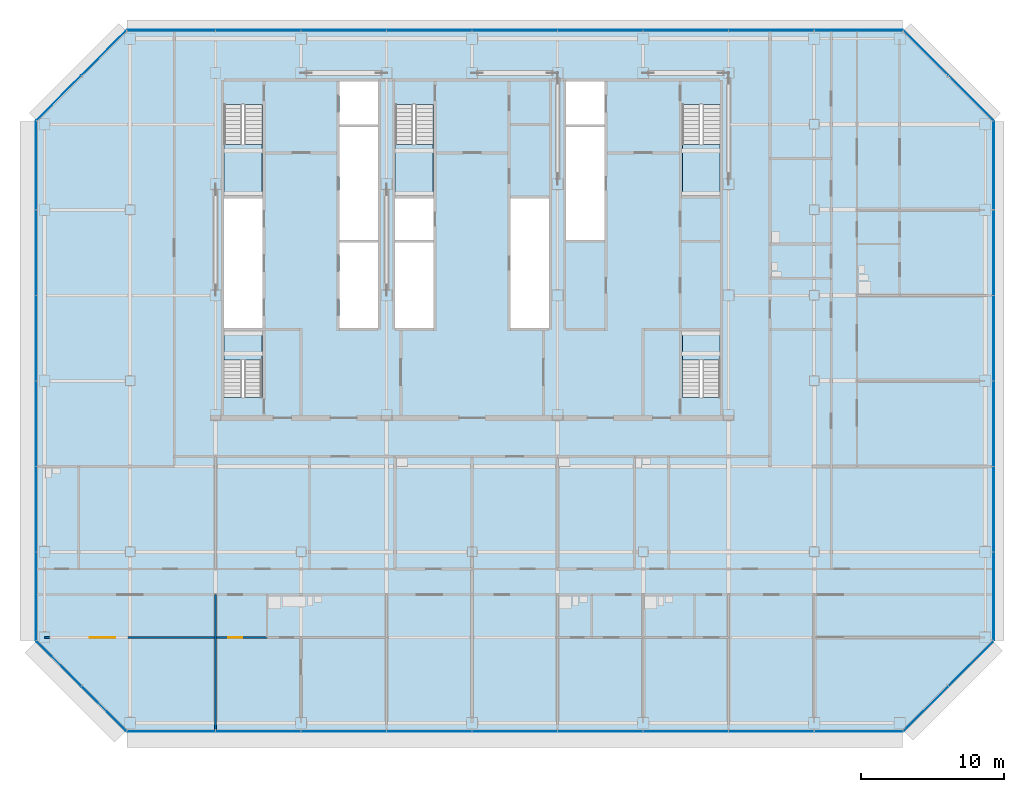
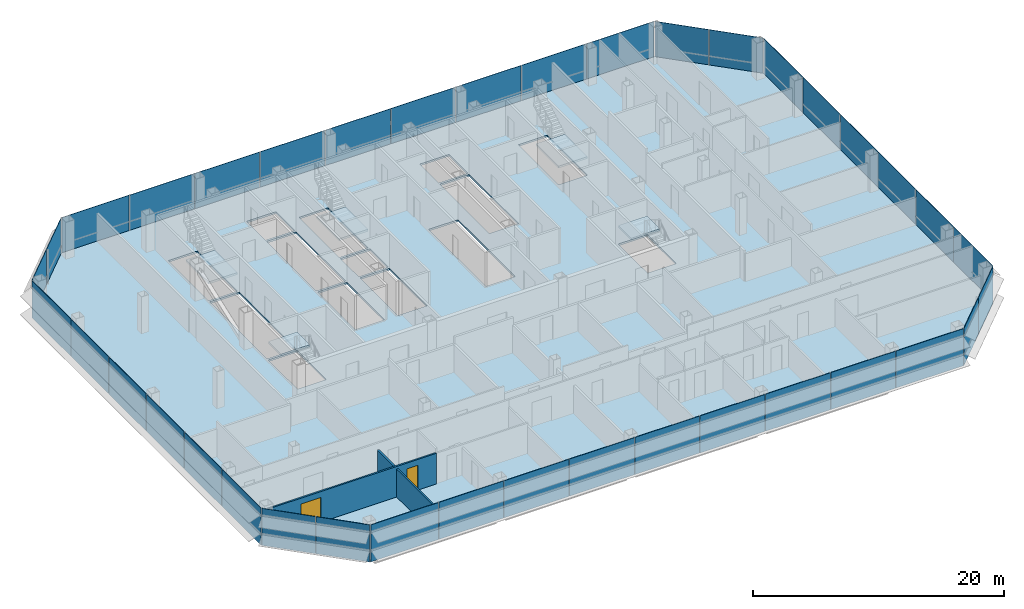
# One storey, part 18 of 25: 38 plates, 6 slabs, 2 doors, 2 walls, 2 openings, 13 elements without a shape of their own.
"""IFC4 building model written with IfcOpenShell, lengths in metres."""

from ifc_helpers import new_model, si_unit, direction, frame, frame_2d, origin, origin_2d, place, context, subcontext, project, spatial, polyline, rectangle, outline, extrude, material, layer, layer_set, type_object, element, fill, aggregate, save


model = new_model("IFC4")

# Units and contexts
model_context = context("Model", 3, precision=1e-05, world=origin(), true_north=direction((0.0, 1.0)))
body_context = subcontext(model_context, "Body", "Model", "MODEL_VIEW")
ifc_project = project(units=[si_unit("LENGTHUNIT", "METRE"), si_unit("AREAUNIT", "SQUARE_METRE"), si_unit("VOLUMEUNIT", "CUBIC_METRE"), si_unit("PLANEANGLEUNIT", "RADIAN"), si_unit("MASSUNIT", "GRAM", prefix="KILO")], contexts=[model_context])

# Site, building, storey
site_placement = place(None, origin())
site = spatial("IfcSite", under=ifc_project, at=site_placement, CompositionType="ELEMENT")
building_placement = place(site_placement, origin())
building = spatial("IfcBuilding", under=site, at=building_placement, Name="Sorahane Residences", CompositionType="ELEMENT")
storey_placement = place(building_placement, frame((0.0, 0.0, 126.800048828125)))
storey = spatial("IfcBuildingStorey", under=building, at=storey_placement, Name="L28", CompositionType="ELEMENT", Elevation=126.800048828125)

# Slab
ifc_material_1 = material(Name="Concrete C35", Category="concrete")
ifc_layer_1 = layer(ifc_material_1, 0.179931640625)
ifc_layer_set_1 = layer_set([ifc_layer_1], Name="Composite floor slab 180 mm Concrete C35")
slab_type_1 = type_object("IfcSlabType", Name="Composite floor slab 180 mm Concrete C35", PredefinedType="FLOOR", material=ifc_layer_set_1)
slab_1_placement = place(storey_placement, frame((0.0, 0.0, -0.179931640625)))
element("IfcSlab", 1, at=slab_1_placement, inside=storey, type_object=slab_type_1, Name="Slab L28", PredefinedType="FLOOR", context=body_context, shape_type="SweptSolid", body=[
    extrude(outline(polyline([(-0.24853515625, -0.60009765625), (-6.60009765625, 5.75146484375), (-6.60009765625, 42.24853515625), (-0.24853515625, 48.60009765625), (54.24853515625, 48.60009765625), (60.60009765625, 42.24853515625), (60.60009765625, 5.75146484375), (54.24853515625, -0.60009765625), (-0.24853515625, -0.60009765625)]), holes=[polyline([(18.60009765625, 27.699951171875), (21.300048828125, 27.699951171875), (21.300048828125, 33.699951171875), (18.60009765625, 33.699951171875), (18.60009765625, 27.699951171875)]), polyline([(30.60009765625, 42.0), (33.300048828125, 42.0), (33.300048828125, 45.0), (30.60009765625, 45.0), (30.60009765625, 42.0)]), polyline([(14.699951171875, 27.699951171875), (17.39990234375, 27.699951171875), (17.39990234375, 33.699951171875), (14.699951171875, 33.699951171875), (14.699951171875, 27.699951171875)]), polyline([(14.699951171875, 42.0), (17.39990234375, 42.0), (17.39990234375, 45.0), (14.699951171875, 45.0), (14.699951171875, 42.0)]), polyline([(6.60009765625, 27.699951171875), (9.300048828125, 27.699951171875), (9.300048828125, 36.800048828125), (6.60009765625, 36.800048828125), (6.60009765625, 27.699951171875)]), polyline([(6.60009765625, 43.39990234375), (6.60009765625, 37.0), (9.25, 37.0), (9.25, 43.39990234375), (6.60009765625, 43.39990234375)]), polyline([(38.75, 43.39990234375), (38.75, 37.0), (41.39990234375, 37.0), (41.39990234375, 43.39990234375), (38.75, 43.39990234375)]), polyline([(18.60009765625, 43.39990234375), (18.60009765625, 37.0), (21.25, 37.0), (21.25, 43.39990234375), (18.60009765625, 43.39990234375)]), polyline([(9.25, 22.85009765625), (9.25, 27.5), (6.60009765625, 27.5), (6.60009765625, 22.85009765625), (9.25, 22.85009765625)]), polyline([(41.39990234375, 22.85009765625), (41.39990234375, 27.5), (38.75, 27.5), (38.75, 22.85009765625), (41.39990234375, 22.85009765625)]), polyline([(14.699951171875, 33.89990234375), (17.39990234375, 33.89990234375), (17.39990234375, 41.800048828125), (14.699951171875, 41.800048828125), (14.699951171875, 33.89990234375)]), polyline([(30.60009765625, 33.89990234375), (33.300048828125, 33.89990234375), (33.300048828125, 41.800048828125), (30.60009765625, 41.800048828125), (30.60009765625, 33.89990234375)]), polyline([(18.60009765625, 33.89990234375), (21.300048828125, 33.89990234375), (21.300048828125, 36.800048828125), (18.60009765625, 36.800048828125), (18.60009765625, 33.89990234375)]), polyline([(26.699951171875, 27.699951171875), (29.39990234375, 27.699951171875), (29.39990234375, 36.800048828125), (26.699951171875, 36.800048828125), (26.699951171875, 27.699951171875)])]), origin(), (0.0, 0.0, 1.0), 0.179931640625),
])

# Curtain wall, plates
ifc_material_2 = material(Name="Dark low-e glass and black anodised aluminium", Category="aluminium")
curtain_wall_type_1 = type_object("IfcCurtainWallType", Name="Curtain wall CW-1 Typical unitised wall", PredefinedType="NOTDEFINED", material=ifc_material_2)
curtain_wall_1_placement = place(storey_placement, origin())
curtain_wall_1 = element("IfcCurtainWall", 2, at=curtain_wall_1_placement, inside=storey, type_object=curtain_wall_type_1, Name="CW-1 curtain wall L28 S1", PredefinedType="NOTDEFINED")
ifc_material_3 = material(Name="Dark low-e glass with black ceramic frit", Category="glass")
ifc_layer_2 = layer(ifc_material_3, 0.0400390625)
ifc_layer_set_2 = layer_set([ifc_layer_2], Name="Curtain wall glass panel dark low-e with black frit spandrel band")
plate_type = type_object("IfcPlateType", Name="Curtain wall glass panel dark low-e with black frit spandrel band", PredefinedType="CURTAIN_PANEL", material=ifc_layer_set_2)
plate_1_placement = place(storey_placement, frame((2.88818359375, -0.60009765625, -0.18017578125), z_axis=(0.0, 0.0, 1.0), x_axis=(1.0, 0.0, 0.0)))
plate_1 = element("IfcPlate", 3, at=plate_1_placement, type_object=plate_type, Name="CW-1 glass panel L28 S1.1", PredefinedType="CURTAIN_PANEL", context=body_context, shape_type="SweptSolid", body=[
    extrude(rectangle(XDim=6.173583984375, YDim=0.0400390625, at=origin_2d()), origin(), (0.0, 0.0, 1.0), 3.60009765625),
])
plate_2_placement = place(storey_placement, frame((9.0, -0.60009765625, -0.18017578125), z_axis=(0.0, 0.0, 1.0), x_axis=(1.0, 0.0, 0.0)))
plate_2 = element("IfcPlate", 4, at=plate_2_placement, type_object=plate_type, Name="CW-1 glass panel L28 S1.2", PredefinedType="CURTAIN_PANEL", context=body_context, shape_type="SweptSolid", body=[
    extrude(rectangle(XDim=5.949951171875, YDim=0.0400390625, at=origin_2d()), origin(), (0.0, 0.0, 1.0), 3.60009765625),
])
plate_3_placement = place(storey_placement, frame((15.0, -0.60009765625, -0.18017578125), z_axis=(0.0, 0.0, 1.0), x_axis=(1.0, 0.0, 0.0)))
plate_3 = element("IfcPlate", 5, at=plate_3_placement, type_object=plate_type, Name="CW-1 glass panel L28 S1.3", PredefinedType="CURTAIN_PANEL", context=body_context, shape_type="SweptSolid", body=[
    extrude(rectangle(XDim=5.949951171875, YDim=0.0400390625, at=origin_2d()), origin(), (0.0, 0.0, 1.0), 3.60009765625),
])
plate_4_placement = place(storey_placement, frame((21.0, -0.60009765625, -0.18017578125), z_axis=(0.0, 0.0, 1.0), x_axis=(1.0, 0.0, 0.0)))
plate_4 = element("IfcPlate", 6, at=plate_4_placement, type_object=plate_type, Name="CW-1 glass panel L28 S1.4", PredefinedType="CURTAIN_PANEL", context=body_context, shape_type="SweptSolid", body=[
    extrude(rectangle(XDim=5.949951171875, YDim=0.0400390625, at=origin_2d()), origin(), (0.0, 0.0, 1.0), 3.60009765625),
])
plate_5_placement = place(storey_placement, frame((27.0, -0.60009765625, -0.18017578125), z_axis=(0.0, 0.0, 1.0), x_axis=(1.0, 0.0, 0.0)))
plate_5 = element("IfcPlate", 7, at=plate_5_placement, type_object=plate_type, Name="CW-1 glass panel L28 S1.5", PredefinedType="CURTAIN_PANEL", context=body_context, shape_type="SweptSolid", body=[
    extrude(rectangle(XDim=5.949951171875, YDim=0.0400390625, at=origin_2d()), origin(), (0.0, 0.0, 1.0), 3.60009765625),
])
plate_6_placement = place(storey_placement, frame((33.0, -0.60009765625, -0.18017578125), z_axis=(0.0, 0.0, 1.0), x_axis=(1.0, 0.0, 0.0)))
plate_6 = element("IfcPlate", 8, at=plate_6_placement, type_object=plate_type, Name="CW-1 glass panel L28 S1.6", PredefinedType="CURTAIN_PANEL", context=body_context, shape_type="SweptSolid", body=[
    extrude(rectangle(XDim=5.949951171875, YDim=0.0400390625, at=origin_2d()), origin(), (0.0, 0.0, 1.0), 3.60009765625),
])
plate_7_placement = place(storey_placement, frame((39.0, -0.60009765625, -0.18017578125), z_axis=(0.0, 0.0, 1.0), x_axis=(1.0, 0.0, 0.0)))
plate_7 = element("IfcPlate", 9, at=plate_7_placement, type_object=plate_type, Name="CW-1 glass panel L28 S1.7", PredefinedType="CURTAIN_PANEL", context=body_context, shape_type="SweptSolid", body=[
    extrude(rectangle(XDim=5.949951171875, YDim=0.0400390625, at=origin_2d()), origin(), (0.0, 0.0, 1.0), 3.60009765625),
])
plate_8_placement = place(storey_placement, frame((45.0, -0.60009765625, -0.18017578125), z_axis=(0.0, 0.0, 1.0), x_axis=(1.0, 0.0, 0.0)))
plate_8 = element("IfcPlate", 10, at=plate_8_placement, type_object=plate_type, Name="CW-1 glass panel L28 S1.8", PredefinedType="CURTAIN_PANEL", context=body_context, shape_type="SweptSolid", body=[
    extrude(rectangle(XDim=5.949951171875, YDim=0.0400390625, at=origin_2d()), origin(), (0.0, 0.0, 1.0), 3.60009765625),
])
plate_9_placement = place(storey_placement, frame((51.11181640625, -0.60009765625, -0.18017578125), z_axis=(0.0, 0.0, 1.0), x_axis=(1.0, 0.0, 0.0)))
plate_9 = element("IfcPlate", 11, at=plate_9_placement, type_object=plate_type, Name="CW-1 glass panel L28 S1.9", PredefinedType="CURTAIN_PANEL", context=body_context, shape_type="SweptSolid", body=[
    extrude(rectangle(XDim=6.173583984375, YDim=0.0400390625, at=origin_2d()), origin(), (0.0, 0.0, 1.0), 3.60009765625),
])
aggregate(curtain_wall_1, [plate_1, plate_2, plate_3, plate_4, plate_5, plate_6, plate_7, plate_8, plate_9])

ifc_material_4 = material(Name="Dark low-e glass and black anodised aluminium", Category="aluminium")
curtain_wall_type_2 = type_object("IfcCurtainWallType", Name="Curtain wall CW-2 Chamfer unitised wall", PredefinedType="NOTDEFINED", material=ifc_material_4)
curtain_wall_2_placement = place(storey_placement, origin())
curtain_wall_2 = element("IfcCurtainWall", 12, at=curtain_wall_2_placement, inside=storey, type_object=curtain_wall_type_2, Name="CW-2 curtain wall L28 SE1", PredefinedType="NOTDEFINED")
plate_10_placement = place(storey_placement, frame((55.84521484375, 0.996826171875, -0.18017578125), z_axis=(0.0, 0.0, 1.0), x_axis=(0.707106781187, 0.707106781187, 0.0)))
plate_10 = element("IfcPlate", 13, at=plate_10_placement, type_object=plate_type, Name="CW-2 glass panel L28 SE1.1", PredefinedType="CURTAIN_PANEL", context=body_context, shape_type="SweptSolid", body=[
    extrude(rectangle(XDim=4.416259765625, YDim=0.0400390625, at=origin_2d()), origin(), (0.0, 0.0, 1.0), 3.60009765625),
])
plate_11_placement = place(storey_placement, frame((59.003173828125, 4.15478515625, -0.18017578125), z_axis=(0.0, 0.0, 1.0), x_axis=(0.707106781187, 0.707106781187, 0.0)))
plate_11 = element("IfcPlate", 14, at=plate_11_placement, type_object=plate_type, Name="CW-2 glass panel L28 SE1.2", PredefinedType="CURTAIN_PANEL", context=body_context, shape_type="SweptSolid", body=[
    extrude(rectangle(XDim=4.416259765625, YDim=0.0400390625, at=origin_2d()), origin(), (0.0, 0.0, 1.0), 3.60009765625),
])
aggregate(curtain_wall_2, [plate_10, plate_11])

curtain_wall_3_placement = place(storey_placement, origin())
curtain_wall_3 = element("IfcCurtainWall", 15, at=curtain_wall_3_placement, inside=storey, type_object=curtain_wall_type_1, Name="CW-1 curtain wall L28 E1", PredefinedType="NOTDEFINED")
plate_12_placement = place(storey_placement, frame((60.60009765625, 8.88818359375, -0.18017578125), z_axis=(0.0, 0.0, 1.0), x_axis=(0.0, 1.0, 0.0)))
plate_12 = element("IfcPlate", 16, at=plate_12_placement, type_object=plate_type, Name="CW-1 glass panel L28 E1.1", PredefinedType="CURTAIN_PANEL", context=body_context, shape_type="SweptSolid", body=[
    extrude(rectangle(XDim=6.173583984375, YDim=0.0400390625, at=origin_2d()), origin(), (0.0, 0.0, 1.0), 3.60009765625),
])
plate_13_placement = place(storey_placement, frame((60.60009765625, 15.0, -0.18017578125), z_axis=(0.0, 0.0, 1.0), x_axis=(0.0, 1.0, 0.0)))
plate_13 = element("IfcPlate", 17, at=plate_13_placement, type_object=plate_type, Name="CW-1 glass panel L28 E1.2", PredefinedType="CURTAIN_PANEL", context=body_context, shape_type="SweptSolid", body=[
    extrude(rectangle(XDim=5.949951171875, YDim=0.0400390625, at=origin_2d()), origin(), (0.0, 0.0, 1.0), 3.60009765625),
])
plate_14_placement = place(storey_placement, frame((60.60009765625, 21.0, -0.18017578125), z_axis=(0.0, 0.0, 1.0), x_axis=(0.0, 1.0, 0.0)))
plate_14 = element("IfcPlate", 18, at=plate_14_placement, type_object=plate_type, Name="CW-1 glass panel L28 E1.3", PredefinedType="CURTAIN_PANEL", context=body_context, shape_type="SweptSolid", body=[
    extrude(rectangle(XDim=5.949951171875, YDim=0.0400390625, at=origin_2d()), origin(), (0.0, 0.0, 1.0), 3.60009765625),
])
plate_15_placement = place(storey_placement, frame((60.60009765625, 27.0, -0.18017578125), z_axis=(0.0, 0.0, 1.0), x_axis=(0.0, 1.0, 0.0)))
plate_15 = element("IfcPlate", 19, at=plate_15_placement, type_object=plate_type, Name="CW-1 glass panel L28 E1.4", PredefinedType="CURTAIN_PANEL", context=body_context, shape_type="SweptSolid", body=[
    extrude(rectangle(XDim=5.949951171875, YDim=0.0400390625, at=origin_2d()), origin(), (0.0, 0.0, 1.0), 3.60009765625),
])
plate_16_placement = place(storey_placement, frame((60.60009765625, 33.0, -0.18017578125), z_axis=(0.0, 0.0, 1.0), x_axis=(0.0, 1.0, 0.0)))
plate_16 = element("IfcPlate", 20, at=plate_16_placement, type_object=plate_type, Name="CW-1 glass panel L28 E1.5", PredefinedType="CURTAIN_PANEL", context=body_context, shape_type="SweptSolid", body=[
    extrude(rectangle(XDim=5.949951171875, YDim=0.0400390625, at=origin_2d()), origin(), (0.0, 0.0, 1.0), 3.60009765625),
])
plate_17_placement = place(storey_placement, frame((60.60009765625, 39.11181640625, -0.18017578125), z_axis=(0.0, 0.0, 1.0), x_axis=(0.0, 1.0, 0.0)))
plate_17 = element("IfcPlate", 21, at=plate_17_placement, type_object=plate_type, Name="CW-1 glass panel L28 E1.6", PredefinedType="CURTAIN_PANEL", context=body_context, shape_type="SweptSolid", body=[
    extrude(rectangle(XDim=6.173583984375, YDim=0.0400390625, at=origin_2d()), origin(), (0.0, 0.0, 1.0), 3.60009765625),
])
aggregate(curtain_wall_3, [plate_12, plate_13, plate_14, plate_15, plate_16, plate_17])

curtain_wall_4_placement = place(storey_placement, origin())
curtain_wall_4 = element("IfcCurtainWall", 22, at=curtain_wall_4_placement, inside=storey, type_object=curtain_wall_type_2, Name="CW-2 curtain wall L28 NE1", PredefinedType="NOTDEFINED")
plate_18_placement = place(storey_placement, frame((59.003173828125, 43.84521484375, -0.18017578125), z_axis=(0.0, 0.0, 1.0), x_axis=(-0.707106781187, 0.707106781187, 0.0)))
plate_18 = element("IfcPlate", 23, at=plate_18_placement, type_object=plate_type, Name="CW-2 glass panel L28 NE1.1", PredefinedType="CURTAIN_PANEL", context=body_context, shape_type="SweptSolid", body=[
    extrude(rectangle(XDim=4.416259765625, YDim=0.0400390625, at=origin_2d()), origin(), (0.0, 0.0, 1.0), 3.60009765625),
])
plate_19_placement = place(storey_placement, frame((55.84521484375, 47.003173828125, -0.18017578125), z_axis=(0.0, 0.0, 1.0), x_axis=(-0.707106781187, 0.707106781187, 0.0)))
plate_19 = element("IfcPlate", 24, at=plate_19_placement, type_object=plate_type, Name="CW-2 glass panel L28 NE1.2", PredefinedType="CURTAIN_PANEL", context=body_context, shape_type="SweptSolid", body=[
    extrude(rectangle(XDim=4.416259765625, YDim=0.0400390625, at=origin_2d()), origin(), (0.0, 0.0, 1.0), 3.60009765625),
])
aggregate(curtain_wall_4, [plate_18, plate_19])

curtain_wall_5_placement = place(storey_placement, origin())
curtain_wall_5 = element("IfcCurtainWall", 25, at=curtain_wall_5_placement, inside=storey, type_object=curtain_wall_type_1, Name="CW-1 curtain wall L28 N1", PredefinedType="NOTDEFINED")
plate_20_placement = place(storey_placement, frame((51.11181640625, 48.60009765625, -0.18017578125), z_axis=(0.0, 0.0, 1.0), x_axis=(-1.0, 0.0, 0.0)))
plate_20 = element("IfcPlate", 26, at=plate_20_placement, type_object=plate_type, Name="CW-1 glass panel L28 N1.1", PredefinedType="CURTAIN_PANEL", context=body_context, shape_type="SweptSolid", body=[
    extrude(rectangle(XDim=6.173583984375, YDim=0.0400390625, at=origin_2d()), origin(), (0.0, 0.0, 1.0), 3.60009765625),
])
plate_21_placement = place(storey_placement, frame((45.0, 48.60009765625, -0.18017578125), z_axis=(0.0, 0.0, 1.0), x_axis=(-1.0, 0.0, 0.0)))
plate_21 = element("IfcPlate", 27, at=plate_21_placement, type_object=plate_type, Name="CW-1 glass panel L28 N1.2", PredefinedType="CURTAIN_PANEL", context=body_context, shape_type="SweptSolid", body=[
    extrude(rectangle(XDim=5.949951171875, YDim=0.0400390625, at=origin_2d()), origin(), (0.0, 0.0, 1.0), 3.60009765625),
])
plate_22_placement = place(storey_placement, frame((39.0, 48.60009765625, -0.18017578125), z_axis=(0.0, 0.0, 1.0), x_axis=(-1.0, 0.0, 0.0)))
plate_22 = element("IfcPlate", 28, at=plate_22_placement, type_object=plate_type, Name="CW-1 glass panel L28 N1.3", PredefinedType="CURTAIN_PANEL", context=body_context, shape_type="SweptSolid", body=[
    extrude(rectangle(XDim=5.949951171875, YDim=0.0400390625, at=origin_2d()), origin(), (0.0, 0.0, 1.0), 3.60009765625),
])
plate_23_placement = place(storey_placement, frame((33.0, 48.60009765625, -0.18017578125), z_axis=(0.0, 0.0, 1.0), x_axis=(-1.0, 0.0, 0.0)))
plate_23 = element("IfcPlate", 29, at=plate_23_placement, type_object=plate_type, Name="CW-1 glass panel L28 N1.4", PredefinedType="CURTAIN_PANEL", context=body_context, shape_type="SweptSolid", body=[
    extrude(rectangle(XDim=5.949951171875, YDim=0.0400390625, at=origin_2d()), origin(), (0.0, 0.0, 1.0), 3.60009765625),
])
plate_24_placement = place(storey_placement, frame((27.0, 48.60009765625, -0.18017578125), z_axis=(0.0, 0.0, 1.0), x_axis=(-1.0, 0.0, 0.0)))
plate_24 = element("IfcPlate", 30, at=plate_24_placement, type_object=plate_type, Name="CW-1 glass panel L28 N1.5", PredefinedType="CURTAIN_PANEL", context=body_context, shape_type="SweptSolid", body=[
    extrude(rectangle(XDim=5.949951171875, YDim=0.0400390625, at=origin_2d()), origin(), (0.0, 0.0, 1.0), 3.60009765625),
])
plate_25_placement = place(storey_placement, frame((21.0, 48.60009765625, -0.18017578125), z_axis=(0.0, 0.0, 1.0), x_axis=(-1.0, 0.0, 0.0)))
plate_25 = element("IfcPlate", 31, at=plate_25_placement, type_object=plate_type, Name="CW-1 glass panel L28 N1.6", PredefinedType="CURTAIN_PANEL", context=body_context, shape_type="SweptSolid", body=[
    extrude(rectangle(XDim=5.949951171875, YDim=0.0400390625, at=origin_2d()), origin(), (0.0, 0.0, 1.0), 3.60009765625),
])
plate_26_placement = place(storey_placement, frame((15.0, 48.60009765625, -0.18017578125), z_axis=(0.0, 0.0, 1.0), x_axis=(-1.0, 0.0, 0.0)))
plate_26 = element("IfcPlate", 32, at=plate_26_placement, type_object=plate_type, Name="CW-1 glass panel L28 N1.7", PredefinedType="CURTAIN_PANEL", context=body_context, shape_type="SweptSolid", body=[
    extrude(rectangle(XDim=5.949951171875, YDim=0.0400390625, at=origin_2d()), origin(), (0.0, 0.0, 1.0), 3.60009765625),
])
plate_27_placement = place(storey_placement, frame((9.0, 48.60009765625, -0.18017578125), z_axis=(0.0, 0.0, 1.0), x_axis=(-1.0, 0.0, 0.0)))
plate_27 = element("IfcPlate", 33, at=plate_27_placement, type_object=plate_type, Name="CW-1 glass panel L28 N1.8", PredefinedType="CURTAIN_PANEL", context=body_context, shape_type="SweptSolid", body=[
    extrude(rectangle(XDim=5.949951171875, YDim=0.0400390625, at=origin_2d()), origin(), (0.0, 0.0, 1.0), 3.60009765625),
])
plate_28_placement = place(storey_placement, frame((2.88818359375, 48.60009765625, -0.18017578125), z_axis=(0.0, 0.0, 1.0), x_axis=(-1.0, 0.0, 0.0)))
plate_28 = element("IfcPlate", 34, at=plate_28_placement, type_object=plate_type, Name="CW-1 glass panel L28 N1.9", PredefinedType="CURTAIN_PANEL", context=body_context, shape_type="SweptSolid", body=[
    extrude(rectangle(XDim=6.173583984375, YDim=0.0400390625, at=origin_2d()), origin(), (0.0, 0.0, 1.0), 3.60009765625),
])
aggregate(curtain_wall_5, [plate_20, plate_21, plate_22, plate_23, plate_24, plate_25, plate_26, plate_27, plate_28])

curtain_wall_6_placement = place(storey_placement, origin())
curtain_wall_6 = element("IfcCurtainWall", 35, at=curtain_wall_6_placement, inside=storey, type_object=curtain_wall_type_2, Name="CW-2 curtain wall L28 NW1", PredefinedType="NOTDEFINED")
plate_29_placement = place(storey_placement, frame((-1.84521484375, 47.003173828125, -0.18017578125), z_axis=(0.0, 0.0, 1.0), x_axis=(-0.707106781187, -0.707106781187, 0.0)))
plate_29 = element("IfcPlate", 36, at=plate_29_placement, type_object=plate_type, Name="CW-2 glass panel L28 NW1.1", PredefinedType="CURTAIN_PANEL", context=body_context, shape_type="SweptSolid", body=[
    extrude(rectangle(XDim=4.416259765625, YDim=0.0400390625, at=origin_2d()), origin(), (0.0, 0.0, 1.0), 3.60009765625),
])
plate_30_placement = place(storey_placement, frame((-5.003173828125, 43.84521484375, -0.18017578125), z_axis=(0.0, 0.0, 1.0), x_axis=(-0.707106781187, -0.707106781187, 0.0)))
plate_30 = element("IfcPlate", 37, at=plate_30_placement, type_object=plate_type, Name="CW-2 glass panel L28 NW1.2", PredefinedType="CURTAIN_PANEL", context=body_context, shape_type="SweptSolid", body=[
    extrude(rectangle(XDim=4.416259765625, YDim=0.0400390625, at=origin_2d()), origin(), (0.0, 0.0, 1.0), 3.60009765625),
])
aggregate(curtain_wall_6, [plate_29, plate_30])

curtain_wall_7_placement = place(storey_placement, origin())
curtain_wall_7 = element("IfcCurtainWall", 38, at=curtain_wall_7_placement, inside=storey, type_object=curtain_wall_type_1, Name="CW-1 curtain wall L28 W1", PredefinedType="NOTDEFINED")
plate_31_placement = place(storey_placement, frame((-6.60009765625, 39.11181640625, -0.18017578125), z_axis=(0.0, 0.0, 1.0), x_axis=(0.0, -1.0, 0.0)))
plate_31 = element("IfcPlate", 39, at=plate_31_placement, type_object=plate_type, Name="CW-1 glass panel L28 W1.1", PredefinedType="CURTAIN_PANEL", context=body_context, shape_type="SweptSolid", body=[
    extrude(rectangle(XDim=6.173583984375, YDim=0.0400390625, at=origin_2d()), origin(), (0.0, 0.0, 1.0), 3.60009765625),
])
plate_32_placement = place(storey_placement, frame((-6.60009765625, 33.0, -0.18017578125), z_axis=(0.0, 0.0, 1.0), x_axis=(0.0, -1.0, 0.0)))
plate_32 = element("IfcPlate", 40, at=plate_32_placement, type_object=plate_type, Name="CW-1 glass panel L28 W1.2", PredefinedType="CURTAIN_PANEL", context=body_context, shape_type="SweptSolid", body=[
    extrude(rectangle(XDim=5.949951171875, YDim=0.0400390625, at=origin_2d()), origin(), (0.0, 0.0, 1.0), 3.60009765625),
])
plate_33_placement = place(storey_placement, frame((-6.60009765625, 27.0, -0.18017578125), z_axis=(0.0, 0.0, 1.0), x_axis=(0.0, -1.0, 0.0)))
plate_33 = element("IfcPlate", 41, at=plate_33_placement, type_object=plate_type, Name="CW-1 glass panel L28 W1.3", PredefinedType="CURTAIN_PANEL", context=body_context, shape_type="SweptSolid", body=[
    extrude(rectangle(XDim=5.949951171875, YDim=0.0400390625, at=origin_2d()), origin(), (0.0, 0.0, 1.0), 3.60009765625),
])
plate_34_placement = place(storey_placement, frame((-6.60009765625, 21.0, -0.18017578125), z_axis=(0.0, 0.0, 1.0), x_axis=(0.0, -1.0, 0.0)))
plate_34 = element("IfcPlate", 42, at=plate_34_placement, type_object=plate_type, Name="CW-1 glass panel L28 W1.4", PredefinedType="CURTAIN_PANEL", context=body_context, shape_type="SweptSolid", body=[
    extrude(rectangle(XDim=5.949951171875, YDim=0.0400390625, at=origin_2d()), origin(), (0.0, 0.0, 1.0), 3.60009765625),
])
plate_35_placement = place(storey_placement, frame((-6.60009765625, 15.0, -0.18017578125), z_axis=(0.0, 0.0, 1.0), x_axis=(0.0, -1.0, 0.0)))
plate_35 = element("IfcPlate", 43, at=plate_35_placement, type_object=plate_type, Name="CW-1 glass panel L28 W1.5", PredefinedType="CURTAIN_PANEL", context=body_context, shape_type="SweptSolid", body=[
    extrude(rectangle(XDim=5.949951171875, YDim=0.0400390625, at=origin_2d()), origin(), (0.0, 0.0, 1.0), 3.60009765625),
])
plate_36_placement = place(storey_placement, frame((-6.60009765625, 8.88818359375, -0.18017578125), z_axis=(0.0, 0.0, 1.0), x_axis=(0.0, -1.0, 0.0)))
plate_36 = element("IfcPlate", 44, at=plate_36_placement, type_object=plate_type, Name="CW-1 glass panel L28 W1.6", PredefinedType="CURTAIN_PANEL", context=body_context, shape_type="SweptSolid", body=[
    extrude(rectangle(XDim=6.173583984375, YDim=0.0400390625, at=origin_2d()), origin(), (0.0, 0.0, 1.0), 3.60009765625),
])
aggregate(curtain_wall_7, [plate_31, plate_32, plate_33, plate_34, plate_35, plate_36])

curtain_wall_8_placement = place(storey_placement, origin())
curtain_wall_8 = element("IfcCurtainWall", 45, at=curtain_wall_8_placement, inside=storey, type_object=curtain_wall_type_2, Name="CW-2 curtain wall L28 SW1", PredefinedType="NOTDEFINED")
plate_37_placement = place(storey_placement, frame((-5.003173828125, 4.15478515625, -0.18017578125), z_axis=(0.0, 0.0, 1.0), x_axis=(0.707106781187, -0.707106781187, 0.0)))
plate_37 = element("IfcPlate", 46, at=plate_37_placement, type_object=plate_type, Name="CW-2 glass panel L28 SW1.1", PredefinedType="CURTAIN_PANEL", context=body_context, shape_type="SweptSolid", body=[
    extrude(rectangle(XDim=4.416259765625, YDim=0.0400390625, at=origin_2d()), origin(), (0.0, 0.0, 1.0), 3.60009765625),
])
plate_38_placement = place(storey_placement, frame((-1.84521484375, 0.996826171875, -0.18017578125), z_axis=(0.0, 0.0, 1.0), x_axis=(0.707106781187, -0.707106781187, 0.0)))
plate_38 = element("IfcPlate", 47, at=plate_38_placement, type_object=plate_type, Name="CW-2 glass panel L28 SW1.2", PredefinedType="CURTAIN_PANEL", context=body_context, shape_type="SweptSolid", body=[
    extrude(rectangle(XDim=4.416259765625, YDim=0.0400390625, at=origin_2d()), origin(), (0.0, 0.0, 1.0), 3.60009765625),
])
aggregate(curtain_wall_8, [plate_37, plate_38])

# Stair, slab
ifc_material_5 = material(Name="Concrete C40", Category="concrete")
stair_type = type_object("IfcStairType", Name="Dog-leg stair 1250 Concrete C40", PredefinedType="HALF_TURN_STAIR", material=ifc_material_5)
stair_1_placement = place(storey_placement, origin())
stair_1 = element("IfcStair", 48, at=stair_1_placement, inside=storey, type_object=stair_type, Name="L28 Stair S1", PredefinedType="HALF_TURN_STAIR")
ifc_material_6 = material(Name="Concrete C40", Category="concrete")
ifc_layer_3 = layer(ifc_material_6, 0.199951171875)
ifc_layer_set_3 = layer_set([ifc_layer_3], Name="Stair landing 200 Concrete C40")
slab_type_2 = type_object("IfcSlabType", Name="Stair landing 200 Concrete C40", PredefinedType="LANDING", material=ifc_layer_set_3)
slab_2_placement = place(storey_placement, frame((0.0, 0.0, 1.599853515625)))
slab_2 = element("IfcSlab", 49, at=slab_2_placement, type_object=slab_type_2, Name="S1 landing 1", PredefinedType="LANDING", context=body_context, shape_type="SweptSolid", body=[
    extrude(outline(polyline([(6.60009765625, 40.60009765625), (6.60009765625, 37.0), (9.25, 37.0), (9.25, 40.60009765625), (6.60009765625, 40.60009765625)])), origin(), (0.0, 0.0, 1.0), 0.2001953125),
])
aggregate(stair_1, [slab_2])

stair_2_placement = place(storey_placement, origin())
stair_2 = element("IfcStair", 50, at=stair_2_placement, inside=storey, type_object=stair_type, Name="L28 Stair S2", PredefinedType="HALF_TURN_STAIR")
slab_3_placement = place(storey_placement, frame((0.0, 0.0, 1.599853515625)))
slab_3 = element("IfcSlab", 51, at=slab_3_placement, type_object=slab_type_2, Name="S2 landing 1", PredefinedType="LANDING", context=body_context, shape_type="SweptSolid", body=[
    extrude(outline(polyline([(38.75, 40.60009765625), (38.75, 37.0), (41.39990234375, 37.0), (41.39990234375, 40.60009765625), (38.75, 40.60009765625)])), origin(), (0.0, 0.0, 1.0), 0.2001953125),
])
aggregate(stair_2, [slab_3])

stair_3_placement = place(storey_placement, origin())
stair_3 = element("IfcStair", 52, at=stair_3_placement, inside=storey, type_object=stair_type, Name="L28 Stair S3", PredefinedType="HALF_TURN_STAIR")
slab_4_placement = place(storey_placement, frame((0.0, 0.0, 1.599853515625)))
slab_4 = element("IfcSlab", 53, at=slab_4_placement, type_object=slab_type_2, Name="S3 landing 1", PredefinedType="LANDING", context=body_context, shape_type="SweptSolid", body=[
    extrude(outline(polyline([(18.60009765625, 40.60009765625), (18.60009765625, 37.0), (21.25, 37.0), (21.25, 40.60009765625), (18.60009765625, 40.60009765625)])), origin(), (0.0, 0.0, 1.0), 0.2001953125),
])
aggregate(stair_3, [slab_4])

stair_4_placement = place(storey_placement, origin())
stair_4 = element("IfcStair", 54, at=stair_4_placement, inside=storey, type_object=stair_type, Name="L28 Stair S4", PredefinedType="HALF_TURN_STAIR")
slab_5_placement = place(storey_placement, frame((0.0, 0.0, 1.599853515625)))
slab_5 = element("IfcSlab", 55, at=slab_5_placement, type_object=slab_type_2, Name="S4 landing 1", PredefinedType="LANDING", context=body_context, shape_type="SweptSolid", body=[
    extrude(outline(polyline([(9.25, 25.449951171875), (9.25, 27.5), (6.60009765625, 27.5), (6.60009765625, 25.449951171875), (9.25, 25.449951171875)])), origin(), (0.0, 0.0, 1.0), 0.2001953125),
])
aggregate(stair_4, [slab_5])

stair_5_placement = place(storey_placement, origin())
stair_5 = element("IfcStair", 56, at=stair_5_placement, inside=storey, type_object=stair_type, Name="L28 Stair S5", PredefinedType="HALF_TURN_STAIR")
slab_6_placement = place(storey_placement, frame((0.0, 0.0, 1.599853515625)))
slab_6 = element("IfcSlab", 57, at=slab_6_placement, type_object=slab_type_2, Name="S5 landing 1", PredefinedType="LANDING", context=body_context, shape_type="SweptSolid", body=[
    extrude(outline(polyline([(41.39990234375, 25.449951171875), (41.39990234375, 27.5), (38.75, 27.5), (38.75, 25.449951171875), (41.39990234375, 25.449951171875)])), origin(), (0.0, 0.0, 1.0), 0.2001953125),
])
aggregate(stair_5, [slab_6])

# Wall
ifc_material_7 = material(Name="Gypsum board partition on steel studs", Category="steel")
ifc_layer_4 = layer(ifc_material_7, 0.14990234375)
ifc_layer_set_4 = layer_set([ifc_layer_4], Name="Partition 150 EI 90")
wall_type = type_object("IfcWallType", Name="Partition 150 EI 90", PredefinedType="PARTITIONING", material=ifc_layer_set_4)
wall_1_placement = place(storey_placement, frame((6.0, -0.60009765625, 0.0), z_axis=(0.0, 0.0, 1.0), x_axis=(0.0, 1.0, 0.0)))
element("IfcWall", 58, at=wall_1_placement, inside=storey, type_object=wall_type, Name="L28 partition", PredefinedType="PARTITIONING", context=body_context, shape_type="SweptSolid", body=[
    extrude(rectangle(XDim=9.60009765625, YDim=0.14990234375, at=frame_2d((4.800048828125, 0.0))), origin(), (0.0, 0.0, 1.0), 2.719970703125),
])

# Wall, openings, doors
wall_2_placement = place(storey_placement, frame((-6.0, 6.0, 0.0), z_axis=(0.0, 0.0, 1.0), x_axis=(1.0, 0.0, 0.0)))
wall_2 = element("IfcWall", 59, at=wall_2_placement, inside=storey, type_object=wall_type, Name="L28 partition", PredefinedType="PARTITIONING", context=body_context, shape_type="SweptSolid", body=[
    extrude(rectangle(XDim=15.60009765625, YDim=0.14990234375, at=frame_2d((7.800048828125, 0.0))), origin(), (0.0, 0.0, 1.0), 2.969970703125),
])
opening_1_placement = place(wall_2_placement, frame((3.159912109375, 0.0, 0.0)))
opening_1 = element("IfcOpeningElement", 60, at=opening_1_placement, cuts=wall_2, Name="Opening L28-09", PredefinedType="OPENING", context=body_context, shape_type="SweptSolid", body=[
    extrude(rectangle(XDim=1.800048828125, YDim=2.39990234375, at=frame_2d((0.89990234375, 1.199951171875))), frame((0.0, 0.0849609375, 0.0), z_axis=(0.0, -1.0, 0.0), x_axis=(1.0, 0.0, 0.0)), (0.0, 0.0, 1.0), 0.169921875),
])
opening_2_placement = place(wall_2_placement, frame((12.8798828125, 0.0, 0.0)))
opening_2 = element("IfcOpeningElement", 61, at=opening_2_placement, cuts=wall_2, Name="Opening L28-10", PredefinedType="OPENING", context=body_context, shape_type="SweptSolid", body=[
    extrude(rectangle(XDim=1.0, YDim=2.39990234375, at=frame_2d((0.5, 1.199951171875))), frame((0.0, 0.0849609375, 0.0), z_axis=(0.0, -1.0, 0.0), x_axis=(1.0, 0.0, 0.0)), (0.0, 0.0, 1.0), 0.169921875),
])
ifc_material_8 = material(Name="Timber veneered fire door", Category="wood")
door_type_1 = type_object("IfcDoorType", Name="Double door 1800x2400 FD30", OperationType="NOTDEFINED", PredefinedType="DOOR", material=ifc_material_8)
door_1_placement = place(opening_1_placement, frame((1.800048828125, 0.0, 0.0), z_axis=(0.0, 0.0, 1.0), x_axis=(-1.0, 0.0, 0.0)))
door_1 = element("IfcDoor", 62, at=door_1_placement, inside=storey, type_object=door_type_1, Name="Double door L28-09", OperationType="SINGLE_SWING_RIGHT", OverallHeight=2.39990234375, OverallWidth=1.800048828125, PredefinedType="DOOR", context=body_context, shape_type="SweptSolid", body=[
    extrude(rectangle(XDim=1.800048828125, YDim=2.39990234375, at=frame_2d((0.89990234375, 1.199951171875))), frame((0.0, 0.02490234375, 0.0), z_axis=(0.0, -1.0, 0.0), x_axis=(1.0, 0.0, 0.0)), (0.0, 0.0, 1.0), 0.050048828125),
])
fill(opening_1, door_1)
ifc_material_9 = material(Name="Timber veneered fire door", Category="wood")
door_type_2 = type_object("IfcDoorType", Name="Room door 1000x2400 FD30", OperationType="NOTDEFINED", PredefinedType="DOOR", material=ifc_material_9)
door_2_placement = place(opening_2_placement, frame((1.0, 0.0, 0.0), z_axis=(0.0, 0.0, 1.0), x_axis=(-1.0, 0.0, 0.0)))
door_2 = element("IfcDoor", 63, at=door_2_placement, inside=storey, type_object=door_type_2, Name="Room door L28-10", OperationType="SINGLE_SWING_RIGHT", OverallHeight=2.39990234375, OverallWidth=1.0, PredefinedType="DOOR", context=body_context, shape_type="SweptSolid", body=[
    extrude(rectangle(XDim=1.0, YDim=2.39990234375, at=frame_2d((0.5, 1.199951171875))), frame((0.0, 0.02490234375, 0.0), z_axis=(0.0, -1.0, 0.0), x_axis=(1.0, 0.0, 0.0)), (0.0, 0.0, 1.0), 0.050048828125),
])
fill(opening_2, door_2)

save(model, "model.ifc")
